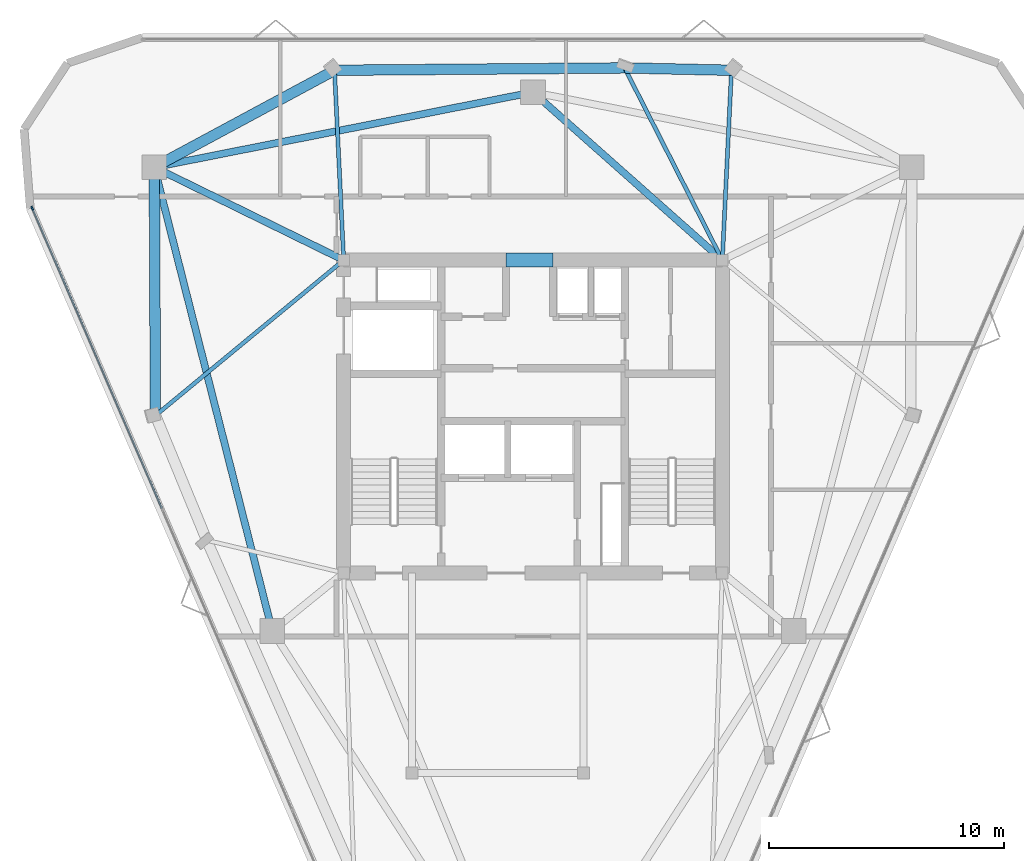
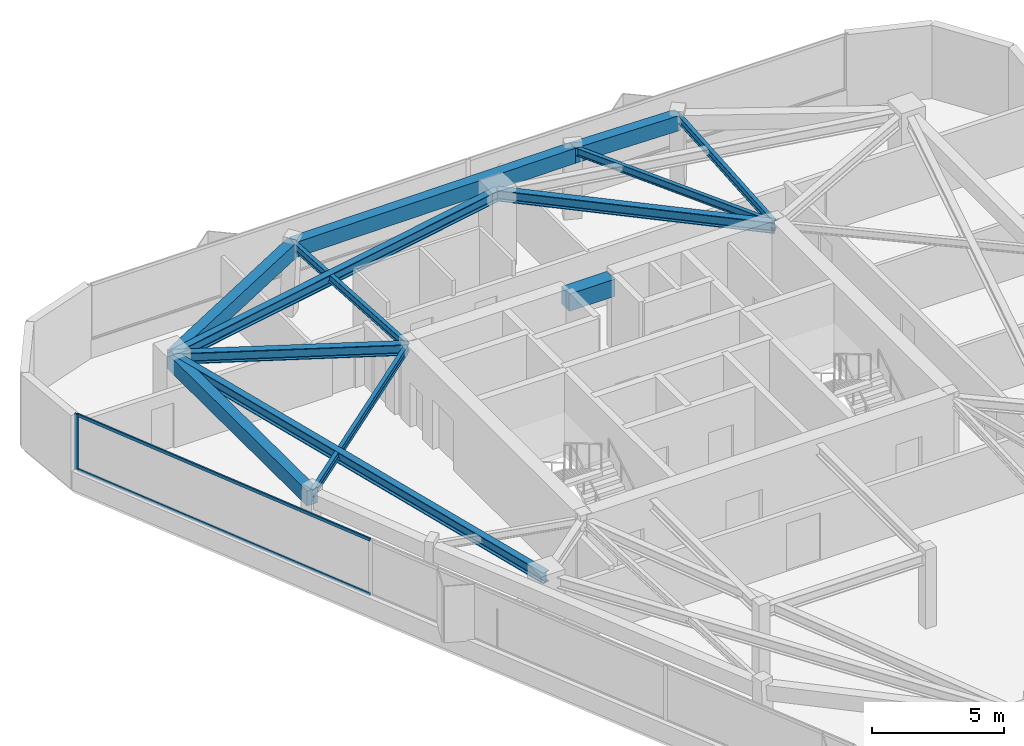
# One storey, part 4 of 10: 13 beams, 3 members, 1 element without a shape of its own.
"""IFC4 building model written with IfcOpenShell, lengths in metres."""

from ifc_helpers import new_model, si_unit, direction, frame, origin, origin_2d, place, context, subcontext, project, spatial, rectangle, i_section, extrude, material, layer, layer_set, material_profile, profile_set, type_object, element, aggregate, save


model = new_model("IFC4")

# Units and contexts
model_context = context("Model", 3, precision=1e-05, world=origin(), true_north=direction((0.0, 1.0)))
body_context = subcontext(model_context, "Body", "Model", "MODEL_VIEW")
ifc_project = project(units=[si_unit("LENGTHUNIT", "METRE"), si_unit("AREAUNIT", "SQUARE_METRE"), si_unit("VOLUMEUNIT", "CUBIC_METRE"), si_unit("PLANEANGLEUNIT", "RADIAN"), si_unit("MASSUNIT", "GRAM", prefix="KILO")], contexts=[model_context])

# Site, building, storey
site_placement = place(None, origin())
site = spatial("IfcSite", under=ifc_project, at=site_placement, CompositionType="ELEMENT")
building_placement = place(site_placement, origin())
building = spatial("IfcBuilding", under=site, at=building_placement, Name="Talyreon Biosciences Tower", CompositionType="ELEMENT")
storey_placement = place(building_placement, frame((0.0, 0.0, 287.449951171875)))
storey = spatial("IfcBuildingStorey", under=building, at=storey_placement, Name="L76", CompositionType="ELEMENT", Elevation=287.449951171875)

# Curtain wall, members
ifc_material_1 = material(Name="Thermally broken aluminium and low-E glazing", Category="aluminium")
ifc_layer = layer(ifc_material_1, 0.175048828125)
ifc_layer_set = layer_set([ifc_layer], Name="Thermally broken aluminium and low-E glazing")
curtain_wall_type = type_object("IfcCurtainWallType", Name="CurtainWall_Zone5CompLab", PredefinedType="NOTDEFINED", material=ifc_layer_set)
curtain_wall_placement = place(storey_placement, origin())
curtain_wall = element("IfcCurtainWall", 1, at=curtain_wall_placement, inside=storey, type_object=curtain_wall_type, Name="L76 Unitised Curtain Wall FCW-L76-00", PredefinedType="NOTDEFINED")
ifc_material_2 = material(Name="Anodised thermally broken aluminium", Category="aluminium")
ifc_material_profile_1 = material_profile(ifc_material_2, rectangle(XDim=0.06494140625, YDim=0.179931640625, at=origin_2d()), Name="ALUM MULLION 65x180")
ifc_profile_set_1 = profile_set([ifc_material_profile_1], Name="Anodised thermally broken aluminium")
member_type_1 = type_object("IfcMemberType", Name="CWMullion_65x180", PredefinedType="MULLION", material=ifc_profile_set_1)
member_1_placement = place(storey_placement, frame((44.704833984375, 76.857177734375, 0.81005859375), z_axis=(0.0, 0.0, 1.0), x_axis=(-0.918022435016, -0.396528446404, 0.0)))
member_1 = element("IfcMember", 2, at=member_1_placement, type_object=member_type_1, Name="CW6 mullion 4", PredefinedType="MULLION", context=body_context, shape_type="SweptSolid", body=[
    extrude(rectangle(XDim=0.06494140625, YDim=0.179931640625, at=origin_2d()), origin(), (0.0, 0.0, 1.0), 2.590087890625),
])
ifc_material_profile_2 = material_profile(ifc_material_2, rectangle(XDim=0.06494140625, YDim=0.139892578125, at=origin_2d()), Name="ALUM TRANSOM 65x140")
ifc_profile_set_2 = profile_set([ifc_material_profile_2], Name="Anodised thermally broken aluminium")
member_type_2 = type_object("IfcMemberType", Name="CWTransom_65x140", PredefinedType="USERDEFINED", material=ifc_profile_set_2)
member_2_placement = place(storey_placement, frame((50.215087890625, 64.100341796875, 0.842529296875), z_axis=(-0.396529792405, 0.918021853626, 0.0), x_axis=(-0.918021853626, -0.396529792405, 0.0)))
member_2 = element("IfcMember", 3, at=member_2_placement, type_object=member_type_2, Name="CW6 transom 3.1", ObjectType="TRANSOM", PredefinedType="USERDEFINED", context=body_context, shape_type="SweptSolid", body=[
    extrude(rectangle(XDim=0.06494140625, YDim=0.139892578125, at=origin_2d()), origin(), (0.0, 0.0, 1.0), 13.863525390625),
])
member_3_placement = place(storey_placement, frame((50.215087890625, 64.100341796875, 3.367431640625), z_axis=(-0.396529792405, 0.918021853626, 0.0), x_axis=(-0.918021853626, -0.396529792405, 0.0)))
member_3 = element("IfcMember", 4, at=member_3_placement, type_object=member_type_2, Name="CW6 transom 3.2", ObjectType="TRANSOM", PredefinedType="USERDEFINED", context=body_context, shape_type="SweptSolid", body=[
    extrude(rectangle(XDim=0.06494140625, YDim=0.139892578125, at=origin_2d()), origin(), (0.0, 0.0, 1.0), 13.863525390625),
])
aggregate(curtain_wall, [member_1, member_2, member_3])

# Beams
ifc_material_3 = material(Name="Concrete C50/60", Category="concrete")
ifc_material_profile_3 = material_profile(ifc_material_3, rectangle(XDim=0.60009765625, YDim=0.800048828125, at=origin_2d()), Name="RCB 600x800")
ifc_profile_set_3 = profile_set([ifc_material_profile_3], Name="Concrete C50/60")
beam_type_1 = type_object("IfcBeamType", Name="CoreCouplingLintel_600x800", PredefinedType="LINTEL", material=ifc_profile_set_3)
beam_1_placement = place(storey_placement, frame((64.85009765625, 74.64990234375, 3.0), z_axis=(1.0, 0.0, 0.0), x_axis=(0.0, 1.0, 0.0)))
element("IfcBeam", 5, at=beam_1_placement, inside=storey, type_object=beam_type_1, Name="L76 Core Coupling Lintel", PredefinedType="LINTEL", context=body_context, shape_type="SweptSolid", body=[
    extrude(rectangle(XDim=0.60009765625, YDim=0.800048828125, at=origin_2d()), origin(), (0.0, 0.0, 1.0), 2.0),
])
ifc_material_4 = material(Name="Precast concrete C45/55", Category="concrete")
ifc_material_profile_4 = material_profile(ifc_material_4, rectangle(XDim=0.449951171875, YDim=0.699951171875, at=origin_2d()), Name="RCB 450x700")
ifc_profile_set_4 = profile_set([ifc_material_profile_4], Name="Precast concrete C45/55")
beam_type_2 = type_object("IfcBeamType", Name="ExpressedSpandrel_450x700", PredefinedType="SPANDREL", material=ifc_profile_set_4)
beam_2_placement = place(storey_placement, frame((74.43994140625, 82.72265625, 3.050048828125), z_axis=(-0.999758687412, 0.021967406423, 0.0), x_axis=(-0.021967406423, -0.999758687412, 0.0)))
element("IfcBeam", 6, at=beam_2_placement, inside=storey, type_object=beam_type_2, Name="L76 Expressed Horizontal Concrete Spandrel 06", PredefinedType="SPANDREL", context=body_context, shape_type="SweptSolid", body=[
    extrude(rectangle(XDim=0.449951171875, YDim=0.699951171875, at=origin_2d()), origin(), (0.0, 0.0, 1.0), 4.54541015625),
])
beam_3_placement = place(storey_placement, frame((69.8955078125, 82.822509765625, 3.050048828125), z_axis=(-0.999967238374, -0.008094577059, 0.0), x_axis=(0.008094577059, -0.999967238374, 0.0)))
element("IfcBeam", 7, at=beam_3_placement, inside=storey, type_object=beam_type_2, Name="L76 Expressed Horizontal Concrete Spandrel 07", PredefinedType="SPANDREL", context=body_context, shape_type="SweptSolid", body=[
    extrude(rectangle(XDim=0.449951171875, YDim=0.699951171875, at=origin_2d()), origin(), (0.0, 0.0, 1.0), 12.3359375),
])
beam_4_placement = place(storey_placement, frame((57.56005859375, 82.72265625, 3.050048828125), z_axis=(-0.880560273835, -0.473934177015, 0.0), x_axis=(0.473934177015, -0.880560273835, 0.0)))
element("IfcBeam", 8, at=beam_4_placement, inside=storey, type_object=beam_type_2, Name="L76 Expressed Horizontal Concrete Spandrel 08", PredefinedType="SPANDREL", context=body_context, shape_type="SweptSolid", body=[
    extrude(rectangle(XDim=0.449951171875, YDim=0.699951171875, at=origin_2d()), origin(), (0.0, 0.0, 1.0), 8.70166015625),
])
beam_5_placement = place(storey_placement, frame((49.897705078125, 78.5986328125, 3.050048828125), z_axis=(0.004579257227, -0.999989515147, 0.0), x_axis=(0.999989515147, 0.004579257227, 0.0)))
element("IfcBeam", 9, at=beam_5_placement, inside=storey, type_object=beam_type_2, Name="L76 Expressed Horizontal Concrete Spandrel 09", PredefinedType="SPANDREL", context=body_context, shape_type="SweptSolid", body=[
    extrude(rectangle(XDim=0.449951171875, YDim=0.699951171875, at=origin_2d()), origin(), (0.0, 0.0, 1.0), 10.55615234375),
])
ifc_material_5 = material(Name="Steel SM355", Category="steel")
ifc_material_profile_5 = material_profile(ifc_material_5, i_section(OverallWidth=0.300048828125, OverallDepth=0.5, WebThickness=0.014404296875, FlangeThickness=0.028076171875, FilletRadius=0.027099609375, at=origin_2d()), Name="HE500B")
ifc_profile_set_5 = profile_set([ifc_material_profile_5], Name="Steel SM355")
beam_type_3 = type_object("IfcBeamType", Name="SteelBeam_HE500B", PredefinedType="BEAM", material=ifc_profile_set_5)
beam_6_placement = place(storey_placement, frame((66.0, 81.788818359375, 3.150146484375), z_axis=(-0.980933730698, -0.194342522311, 0.0), x_axis=(0.194342522311, -0.980933730698, 0.0)))
element("IfcBeam", 10, at=beam_6_placement, inside=storey, type_object=beam_type_3, Name="L76 Mega-Ring Girder 4", PredefinedType="BEAM", context=body_context, shape_type="SweptSolid", body=[
    extrude(i_section(OverallWidth=0.300048828125, OverallDepth=0.5, WebThickness=0.014404296875, FlangeThickness=0.028076171875, FilletRadius=0.027099609375, at=origin_2d()), origin(), (0.0, 0.0, 1.0), 16.415283203125),
])
beam_7_placement = place(storey_placement, frame((49.897705078125, 78.5986328125, 3.150146484375), z_axis=(0.246537082299, -0.969133358755, 0.0), x_axis=(0.969133358755, 0.246537082299, 0.0)))
element("IfcBeam", 11, at=beam_7_placement, inside=storey, type_object=beam_type_3, Name="L76 Mega-Ring Girder 5", PredefinedType="BEAM", context=body_context, shape_type="SweptSolid", body=[
    extrude(i_section(OverallWidth=0.300048828125, OverallDepth=0.5, WebThickness=0.014404296875, FlangeThickness=0.028076171875, FilletRadius=0.027099609375, at=origin_2d()), origin(), (0.0, 0.0, 1.0), 20.34619140625),
])
beam_8_placement = place(storey_placement, frame((74.050048828125, 74.64990234375, 3.150146484375), z_axis=(-0.748178733955, 0.663497235908, 0.0), x_axis=(-0.663497235908, -0.748178733955, 0.0)))
element("IfcBeam", 12, at=beam_8_placement, inside=storey, type_object=beam_type_3, Name="L76 Radial Primary Girder 4", PredefinedType="BEAM", context=body_context, shape_type="SweptSolid", body=[
    extrude(i_section(OverallWidth=0.300048828125, OverallDepth=0.5, WebThickness=0.014404296875, FlangeThickness=0.028076171875, FilletRadius=0.027099609375, at=origin_2d()), origin(), (0.0, 0.0, 1.0), 10.759521484375),
])
beam_9_placement = place(storey_placement, frame((57.949951171875, 74.64990234375, 3.150146484375), z_axis=(-0.897852360314, 0.440296648952, 0.0), x_axis=(-0.440296648952, -0.897852360314, 0.0)))
element("IfcBeam", 13, at=beam_9_placement, inside=storey, type_object=beam_type_3, Name="L76 Radial Primary Girder 5", PredefinedType="BEAM", context=body_context, shape_type="SweptSolid", body=[
    extrude(i_section(OverallWidth=0.300048828125, OverallDepth=0.5, WebThickness=0.014404296875, FlangeThickness=0.028076171875, FilletRadius=0.027099609375, at=origin_2d()), origin(), (0.0, 0.0, 1.0), 8.96826171875),
])
ifc_material_profile_6 = material_profile(ifc_material_5, i_section(OverallWidth=0.169921875, OverallDepth=0.360107421875, WebThickness=0.008056640625, FlangeThickness=0.0126953125, FilletRadius=0.01806640625, at=origin_2d()), Name="IPE360")
ifc_profile_set_6 = profile_set([ifc_material_profile_6], Name="Steel SM355")
beam_type_4 = type_object("IfcBeamType", Name="SteelJoist_IPE360", PredefinedType="JOIST", material=ifc_profile_set_6)
beam_10_placement = place(storey_placement, frame((74.050048828125, 74.64990234375, 3.219970703125), z_axis=(0.048241113059, 0.998835719731, 0.0), x_axis=(-0.998835719731, 0.048241113059, 0.0)))
element("IfcBeam", 14, at=beam_10_placement, inside=storey, type_object=beam_type_4, Name="L76 Radial Composite Floor Joist PC-N1", PredefinedType="JOIST", context=body_context, shape_type="SweptSolid", body=[
    extrude(i_section(OverallWidth=0.169921875, OverallDepth=0.360107421875, WebThickness=0.008056640625, FlangeThickness=0.0126953125, FilletRadius=0.01806640625, at=origin_2d()), origin(), (0.0, 0.0, 1.0), 8.082275390625),
])
beam_11_placement = place(storey_placement, frame((74.050048828125, 74.64990234375, 3.219970703125), z_axis=(-0.453158092756, 0.891430167186, 0.0), x_axis=(-0.891430167186, -0.453158092756, 0.0)))
element("IfcBeam", 15, at=beam_11_placement, inside=storey, type_object=beam_type_4, Name="L76 Radial Composite Floor Joist PL-N", PredefinedType="JOIST", context=body_context, shape_type="SweptSolid", body=[
    extrude(i_section(OverallWidth=0.169921875, OverallDepth=0.360107421875, WebThickness=0.008056640625, FlangeThickness=0.0126953125, FilletRadius=0.01806640625, at=origin_2d()), origin(), (0.0, 0.0, 1.0), 9.16796875),
])
beam_12_placement = place(storey_placement, frame((57.949951171875, 74.64990234375, 3.219970703125), z_axis=(-0.048241113059, 0.998835719731, 0.0), x_axis=(-0.998835719731, -0.048241113059, 0.0)))
element("IfcBeam", 16, at=beam_12_placement, inside=storey, type_object=beam_type_4, Name="L76 Radial Composite Floor Joist PC-N2", PredefinedType="JOIST", context=body_context, shape_type="SweptSolid", body=[
    extrude(i_section(OverallWidth=0.169921875, OverallDepth=0.360107421875, WebThickness=0.008056640625, FlangeThickness=0.0126953125, FilletRadius=0.01806640625, at=origin_2d()), origin(), (0.0, 0.0, 1.0), 8.082275390625),
])
beam_13_placement = place(storey_placement, frame((57.949951171875, 74.64990234375, 3.219970703125), z_axis=(-0.771174630398, -0.636623663894, 0.0), x_axis=(0.636623663894, -0.771174630398, 0.0)))
element("IfcBeam", 17, at=beam_13_placement, inside=storey, type_object=beam_type_4, Name="L76 Radial Composite Floor Joist PC-SW1", PredefinedType="JOIST", context=body_context, shape_type="SweptSolid", body=[
    extrude(i_section(OverallWidth=0.169921875, OverallDepth=0.360107421875, WebThickness=0.008056640625, FlangeThickness=0.0126953125, FilletRadius=0.01806640625, at=origin_2d()), origin(), (0.0, 0.0, 1.0), 10.37890625),
])

save(model, "model.ifc")
